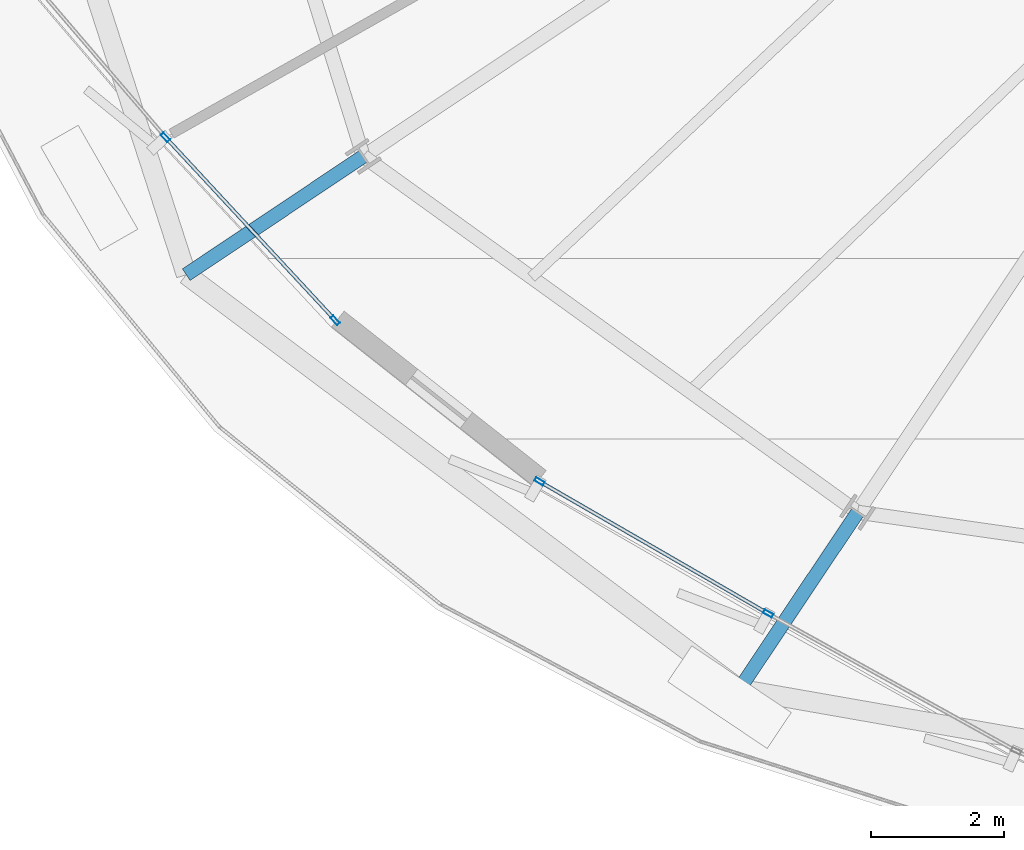
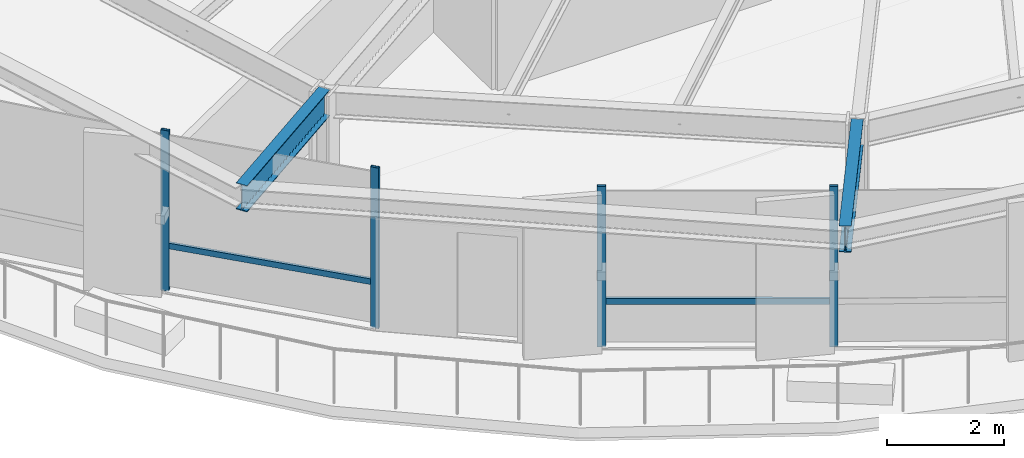
# One storey, part 2 of 35: 6 members, 2 beams, 2 elements without a shape of their own.
"""IFC4 building model written with IfcOpenShell, lengths in metres."""

from ifc_helpers import new_model, si_unit, direction, frame, origin, origin_2d, place, context, subcontext, project, spatial, hollow_rectangle, i_section, extrude, source, transform, mapped, material, layer, layer_set, material_profile, profile_set, type_object, element, aggregate, save


model = new_model("IFC4")

# Units and contexts
model_context = context("Model", 3, precision=1e-05, world=origin(), true_north=direction((0.0, 1.0)))
body_context = subcontext(model_context, "Body", "Model", "MODEL_VIEW")
ifc_project = project(units=[si_unit("LENGTHUNIT", "METRE"), si_unit("AREAUNIT", "SQUARE_METRE"), si_unit("VOLUMEUNIT", "CUBIC_METRE"), si_unit("PLANEANGLEUNIT", "RADIAN"), si_unit("MASSUNIT", "GRAM", prefix="KILO"), si_unit("THERMODYNAMICTEMPERATUREUNIT", "KELVIN")], contexts=[model_context])

# Site, building, storey
site_placement = place(None, origin())
site = spatial("IfcSite", under=ifc_project, at=site_placement, CompositionType="ELEMENT")
building_placement = place(site_placement, origin())
building = spatial("IfcBuilding", under=site, at=building_placement, Name="Kethvar Cultural Tower", CompositionType="ELEMENT")
storey_placement = place(building_placement, frame((0.0, 0.0, 121.60009765625)))
storey = spatial("IfcBuildingStorey", under=building, at=storey_placement, Name="L30", CompositionType="ELEMENT", Elevation=121.60009765625)

# Beams
ifc_material_1 = material(Name="Steel S355J2", Category="steel")
ifc_material_profile_1 = material_profile(ifc_material_1, i_section(OverallWidth=0.2099609375, OverallDepth=0.550048828125, WebThickness=0.010986328125, FlangeThickness=0.01708984375, FilletRadius=0.02392578125, at=origin_2d()), Name="Steel S355J2 — IPE550")
ifc_profile_set_1 = profile_set([ifc_material_profile_1], Name="Steel S355J2 — IPE550")
beam_type = type_object("IfcBeamType", Name="BM-IPE550", PredefinedType="BEAM", material=ifc_profile_set_1)
shared_shape_1 = source(origin(), body_context, "Body", "SweptSolid", [
    extrude(i_section(OverallWidth=0.2099609375, OverallDepth=0.550048828125, WebThickness=0.010986328125, FlangeThickness=0.01708984375, FilletRadius=0.02392578125, at=origin_2d()), origin(), (0.0, 0.0, 1.0), 3.199951171875),
])
for number, where, z_axis, x_axis, name in (
    (1, (26.920654296875, 14.51708984375, 3.072998046875), (-0.831462943996, -0.555580212716, 0.0), (0.555580212716, -0.831462943996, 0.0), "L30 Perimeter Cantilever Beam RC-10"),
    (2, (34.350830078125, 9.16845703125, 3.072998046875), (-0.555580212716, -0.831462943996, 0.0), (0.831462943996, -0.555580212716, 0.0), "L30 Perimeter Cantilever Beam RC-11"),
):
    element("IfcBeam", number, at=place(storey_placement, frame(where, z_axis=z_axis, x_axis=x_axis)), inside=storey, type_object=beam_type, Name=name, PredefinedType="BEAM", context=body_context, shape_type="MappedRepresentation", body=[
        mapped(shared_shape_1, transform((0.0, 0.0, 0.0), scale=1.0)),
    ])

# Curtain wall, members
ifc_material_2 = material(Name="Aluminium 6063-T6", Category="aluminium")
ifc_layer = layer(ifc_material_2, 0.179931640625, Name="Aluminium 6063-T6", Category="aluminium")
ifc_layer_set = layer_set([ifc_layer], Name="Aluminium 6063-T6 (180 mm)")
curtain_wall_type = type_object("IfcCurtainWallType", Name="CW-SYS-03-Z2", PredefinedType="NOTDEFINED", material=ifc_layer_set)
curtain_wall_1_placement = place(storey_placement, origin())
curtain_wall_1 = element("IfcCurtainWall", 3, at=curtain_wall_1_placement, inside=storey, type_object=curtain_wall_type, Name="L30 Curtain Wall Run 04", PredefinedType="NOTDEFINED")
ifc_material_profile_2 = material_profile(ifc_material_2, hollow_rectangle(XDim=0.06005859375, YDim=0.14990234375, WallThickness=0.0048828125, at=origin_2d()), Name="Aluminium 6063-T6 — RHS150x60x5")
ifc_profile_set_2 = profile_set([ifc_material_profile_2], Name="Aluminium 6063-T6 — RHS150x60x5")
member_type_1 = type_object("IfcMemberType", Name="CW-SYS-03-Z2-MUL", PredefinedType="MULLION", material=ifc_profile_set_2)
shared_shape_2 = source(origin(), body_context, "Body", "SweptSolid", [
    extrude(hollow_rectangle(XDim=0.06005859375, YDim=0.14990234375, WallThickness=0.0048828125, at=origin_2d()), origin(), (0.0, 0.0, 1.0), 3.349853515625),
])
member_1_placement = place(storey_placement, frame((23.946044921875, 14.80517578125, 0.0), z_axis=(0.0, 0.0, 1.0), x_axis=(0.73314853035, 0.680068549814, 0.0)))
member_1 = element("IfcMember", 4, at=member_1_placement, type_object=member_type_1, Name="CW-L30-R04 Mullion 2", PredefinedType="MULLION", context=body_context, shape_type="MappedRepresentation", body=[
    mapped(shared_shape_2, transform((0.0, 0.0, 0.0), scale=1.0)),
])
member_2_placement = place(storey_placement, frame((26.498046875, 12.053955078125, 0.0), z_axis=(0.0, 0.0, 1.0), x_axis=(0.73314853035, 0.680068549814, 0.0)))
member_2 = element("IfcMember", 5, at=member_2_placement, type_object=member_type_1, Name="CW-L30-R04 Mullion 3", PredefinedType="MULLION", context=body_context, shape_type="MappedRepresentation", body=[
    mapped(shared_shape_2, transform((0.0, 0.0, 0.0), scale=1.0)),
])

curtain_wall_2_placement = place(storey_placement, origin())
curtain_wall_2 = element("IfcCurtainWall", 6, at=curtain_wall_2_placement, inside=storey, type_object=curtain_wall_type, Name="L30 Curtain Wall Run 05", PredefinedType="NOTDEFINED")
member_3_placement = place(storey_placement, frame((29.568603515625, 9.630615234375, 0.0), z_axis=(0.0, 0.0, 1.0), x_axis=(0.500347604583, 0.865824621149, 0.0)))
member_3 = element("IfcMember", 7, at=member_3_placement, type_object=member_type_1, Name="CW-L30-R05 Mullion 1", PredefinedType="MULLION", context=body_context, shape_type="MappedRepresentation", body=[
    mapped(shared_shape_2, transform((0.0, 0.0, 0.0), scale=1.0)),
])
member_4_placement = place(storey_placement, frame((33.0068359375, 7.643798828125, 0.0), z_axis=(0.0, 0.0, 1.0), x_axis=(0.484473754657, 0.874805796191, 0.0)))
member_4 = element("IfcMember", 8, at=member_4_placement, type_object=member_type_1, Name="CW-L30-R05 Mullion 2", PredefinedType="MULLION", context=body_context, shape_type="MappedRepresentation", body=[
    mapped(shared_shape_2, transform((0.0, 0.0, 0.0), scale=1.0)),
])

# Member
ifc_material_profile_3 = material_profile(ifc_material_2, hollow_rectangle(XDim=0.054931640625, YDim=0.1201171875, WallThickness=0.00390625, at=origin_2d()), Name="Aluminium 6063-T6 — RHS120x55x4")
ifc_profile_set_3 = profile_set([ifc_material_profile_3], Name="Aluminium 6063-T6 — RHS120x55x4")
member_type_2 = type_object("IfcMemberType", Name="CW-SYS-03-Z2-TRN", PredefinedType="USERDEFINED", material=ifc_profile_set_3)
shared_shape_3 = source(origin(), body_context, "Body", "SweptSolid", [
    extrude(hollow_rectangle(XDim=0.054931640625, YDim=0.1201171875, WallThickness=0.00390625, at=origin_2d()), origin(), (0.0, 0.0, 1.0), 3.705078125),
])
member_5_placement = place(storey_placement, frame((23.975341796875, 14.7734375, 0.949951171875), z_axis=(0.680087066552, -0.733131353789, 0.0), x_axis=(0.733131353789, 0.680087066552, 0.0)))
member_5 = element("IfcMember", 9, at=member_5_placement, type_object=member_type_2, Name="CW-L30-R04 Transom 2", ObjectType="TRANSOM", PredefinedType="USERDEFINED", context=body_context, shape_type="MappedRepresentation", body=[
    mapped(shared_shape_3, transform((0.0, 0.0, 0.0), scale=1.0)),
])

aggregate(curtain_wall_1, [member_1, member_2, member_5])

shared_shape_4 = source(origin(), body_context, "Body", "SweptSolid", [
    extrude(hollow_rectangle(XDim=0.054931640625, YDim=0.1201171875, WallThickness=0.00390625, at=origin_2d()), origin(), (0.0, 0.0, 1.0), 3.92578125),
])
member_6_placement = place(storey_placement, frame((29.572265625, 9.628662109375, 0.949951171875), z_axis=(0.865806400274, -0.500379133502, 0.0), x_axis=(0.500379133502, 0.865806400274, 0.0)))
member_6 = element("IfcMember", 10, at=member_6_placement, type_object=member_type_2, Name="CW-L30-R05 Transom 1", ObjectType="TRANSOM", PredefinedType="USERDEFINED", context=body_context, shape_type="MappedRepresentation", body=[
    mapped(shared_shape_4, transform((0.0, 0.0, 0.0), scale=1.0)),
])

aggregate(curtain_wall_2, [member_3, member_4, member_6])

save(model, "model.ifc")
